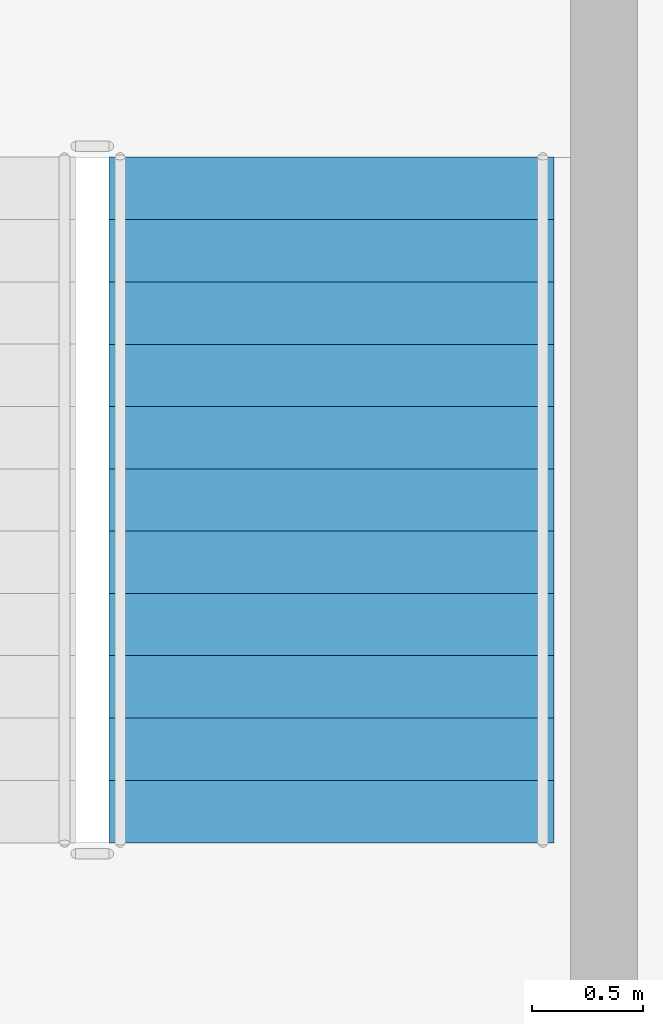
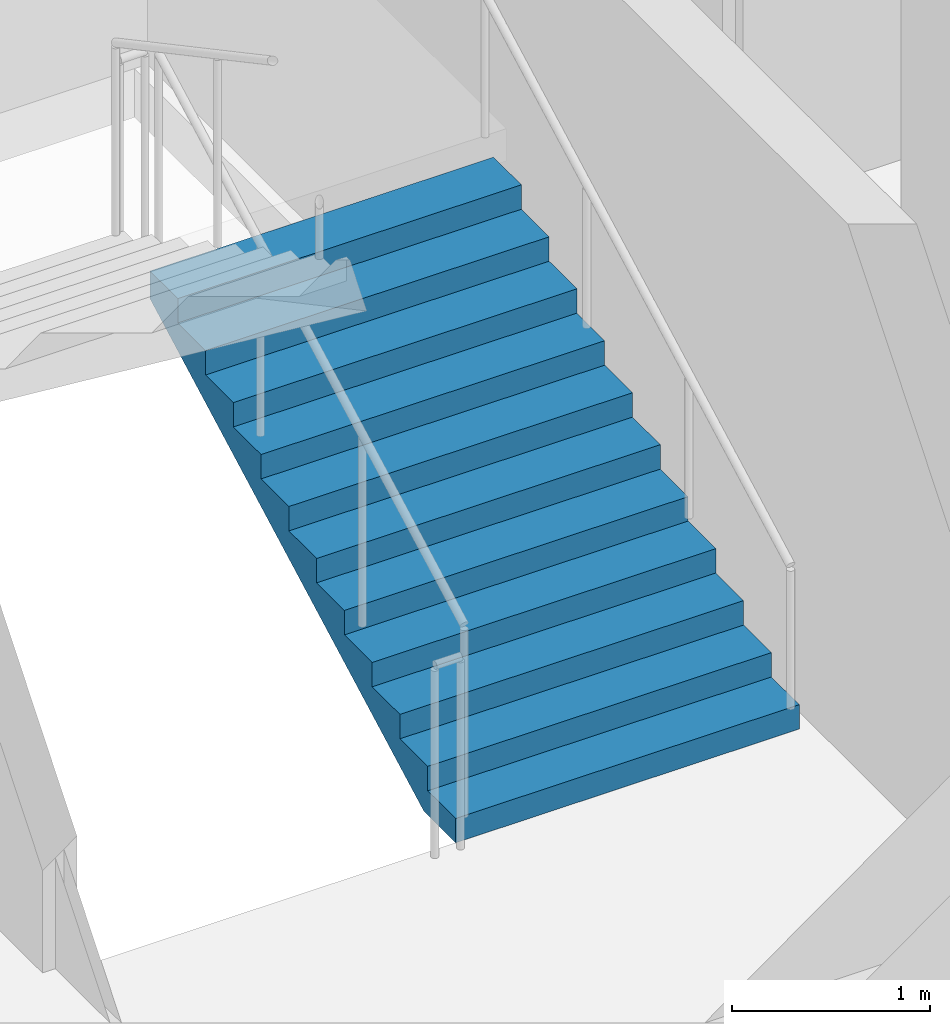
# One storey, part 12 of 21: 1 stair flight, 1 element without a shape of its own.
"""IFC4 building model written with IfcOpenShell, lengths in metres."""

from ifc_helpers import new_model, si_unit, direction, frame, origin, place, context, subcontext, project, spatial, polygons, material, type_object, element, aggregate, save


model = new_model("IFC4")

# Units and contexts
model_context = context("Model", 3, precision=1e-05, world=origin(), true_north=direction((0.0, 1.0)))
body_context = subcontext(model_context, "Body", "Model", "MODEL_VIEW")
ifc_project = project(units=[si_unit("LENGTHUNIT", "METRE"), si_unit("AREAUNIT", "SQUARE_METRE"), si_unit("VOLUMEUNIT", "CUBIC_METRE"), si_unit("PLANEANGLEUNIT", "RADIAN"), si_unit("MASSUNIT", "GRAM", prefix="KILO")], contexts=[model_context])

# Site, building, storey
site_placement = place(None, origin())
site = spatial("IfcSite", under=ifc_project, at=site_placement, CompositionType="ELEMENT")
building_placement = place(site_placement, origin())
building = spatial("IfcBuilding", under=site, at=building_placement, Name="Caravel Reach Hotel and Residences", CompositionType="ELEMENT")
storey_placement = place(building_placement, frame((0.0, 0.0, 100.800048828125)))
storey = spatial("IfcBuildingStorey", under=building, at=storey_placement, Name="L24", CompositionType="ELEMENT", Elevation=100.800048828125)

# Stair, stair flight
ifc_material_1 = material(Name="Concrete C40", Category="concrete")
stair_type = type_object("IfcStairType", Name="Core stair", PredefinedType="HALF_TURN_STAIR", material=ifc_material_1)
stair_placement = place(storey_placement, origin())
stair = element("IfcStair", 1, at=stair_placement, inside=storey, type_object=stair_type, Name="L24 Exit stair B", PredefinedType="HALF_TURN_STAIR")
ifc_material_2 = material(Name="Concrete C40", Category="concrete")
stair_flight_type = type_object("IfcStairFlightType", Name="Core stair flight", PredefinedType="STRAIGHT", material=ifc_material_2)
stair_flight_placement = place(storey_placement, frame((43.77490234375, 24.64990234375, 0.0), z_axis=(0.0, 0.0, 1.0), x_axis=(0.0, 1.0, 0.0)))
stair_flight = element("IfcStairFlight", 2, at=stair_flight_placement, type_object=stair_flight_type, Name="ST-B flight 1", NumberOfRisers=12, NumberOfTreads=11, PredefinedType="STRAIGHT", RiserHeight=0.15, TreadLength=0.28, context=body_context, shape_type="Tessellation", body=[
    polygons([(0.3174408016601862, 1.0, 0.0), (0.3174408016601862, 0.6666666666666667, 0.0), (0.3174408016601862, 0.33333333333333337, 0.0), (0.3174408016601862, 0.0, 0.0), (0.3174408016601862, -0.33333333333333326, 0.0), (0.3174408016601862, -0.6666666666666667, 0.0), (0.3174408016601862, -1.0, 0.0), (3.081, 1.0, 1.479942427682043), (3.081, 0.6666666666666667, 1.479942427682043), (3.081, 0.33333333333333337, 1.479942427682043), (3.081, 0.0, 1.479942427682043), (3.081, -0.33333333333333326, 1.479942427682043), (3.081, -0.6666666666666667, 1.479942427682043), (3.081, -1.0, 1.479942427682043), (3.081, 1.0, 1.65), (3.081, 0.6666666666666667, 1.65), (3.081, 0.33333333333333337, 1.65), (3.081, 0.0, 1.65), (3.081, -0.33333333333333326, 1.65), (3.081, -0.6666666666666667, 1.65), (3.081, -1.0, 1.65), (2.8000000000000003, 1.0, 1.65), (2.8000000000000003, 0.6666666666666667, 1.65), (2.8000000000000003, 0.33333333333333337, 1.65), (2.8000000000000003, 0.0, 1.65), (2.8000000000000003, -0.33333333333333326, 1.65), (2.8000000000000003, -0.6666666666666667, 1.65), (2.8000000000000003, -1.0, 1.65), (2.8000000000000003, 1.0, 1.5), (2.8000000000000003, 0.6666666666666667, 1.5), (2.8000000000000003, 0.33333333333333337, 1.5), (2.8000000000000003, 0.0, 1.5), (2.8000000000000003, -0.33333333333333326, 1.5), (2.8000000000000003, -0.6666666666666667, 1.5), (2.8000000000000003, -1.0, 1.5), (2.5200000000000005, 1.0, 1.5), (2.5200000000000005, 0.6666666666666667, 1.5), (2.5200000000000005, 0.33333333333333337, 1.5), (2.5200000000000005, 0.0, 1.5), (2.5200000000000005, -0.33333333333333326, 1.5), (2.5200000000000005, -0.6666666666666667, 1.5), (2.5200000000000005, -1.0, 1.5), (2.5200000000000005, 1.0, 1.3499999999999999), (2.5200000000000005, 0.6666666666666667, 1.3499999999999999), (2.5200000000000005, 0.33333333333333337, 1.3499999999999999), (2.5200000000000005, 0.0, 1.3499999999999999), (2.5200000000000005, -0.33333333333333326, 1.3499999999999999), (2.5200000000000005, -0.6666666666666667, 1.3499999999999999), (2.5200000000000005, -1.0, 1.3499999999999999), (2.24, 1.0, 1.3499999999999999), (2.24, 0.6666666666666667, 1.3499999999999999), (2.24, 0.33333333333333337, 1.3499999999999999), (2.24, 0.0, 1.3499999999999999), (2.24, -0.33333333333333326, 1.3499999999999999), (2.24, -0.6666666666666667, 1.3499999999999999), (2.24, -1.0, 1.3499999999999999), (2.24, 1.0, 1.2), (2.24, 0.6666666666666667, 1.2), (2.24, 0.33333333333333337, 1.2), (2.24, 0.0, 1.2), (2.24, -0.33333333333333326, 1.2), (2.24, -0.6666666666666667, 1.2), (2.24, -1.0, 1.2), (1.9600000000000002, 1.0, 1.2), (1.9600000000000002, 0.6666666666666667, 1.2), (1.9600000000000002, 0.33333333333333337, 1.2), (1.9600000000000002, 0.0, 1.2), (1.9600000000000002, -0.33333333333333326, 1.2), (1.9600000000000002, -0.6666666666666667, 1.2), (1.9600000000000002, -1.0, 1.2), (1.9600000000000002, 1.0, 1.05), (1.9600000000000002, 0.6666666666666667, 1.05), (1.9600000000000002, 0.33333333333333337, 1.05), (1.9600000000000002, 0.0, 1.05), (1.9600000000000002, -0.33333333333333326, 1.05), (1.9600000000000002, -0.6666666666666667, 1.05), (1.9600000000000002, -1.0, 1.05), (1.6800000000000002, 1.0, 1.05), (1.6800000000000002, 0.6666666666666667, 1.05), (1.6800000000000002, 0.33333333333333337, 1.05), (1.6800000000000002, 0.0, 1.05), (1.6800000000000002, -0.33333333333333326, 1.05), (1.6800000000000002, -0.6666666666666667, 1.05), (1.6800000000000002, -1.0, 1.05), (1.6800000000000002, 1.0, 0.8999999999999999), (1.6800000000000002, 0.6666666666666667, 0.8999999999999999), (1.6800000000000002, 0.33333333333333337, 0.8999999999999999), (1.6800000000000002, 0.0, 0.8999999999999999), (1.6800000000000002, -0.33333333333333326, 0.8999999999999999), (1.6800000000000002, -0.6666666666666667, 0.8999999999999999), (1.6800000000000002, -1.0, 0.8999999999999999), (1.4000000000000001, 1.0, 0.8999999999999999), (1.4000000000000001, 0.6666666666666667, 0.8999999999999999), (1.4000000000000001, 0.33333333333333337, 0.8999999999999999), (1.4000000000000001, 0.0, 0.8999999999999999), (1.4000000000000001, -0.33333333333333326, 0.8999999999999999), (1.4000000000000001, -0.6666666666666667, 0.8999999999999999), (1.4000000000000001, -1.0, 0.8999999999999999), (1.4000000000000001, 1.0, 0.75), (1.4000000000000001, 0.6666666666666667, 0.75), (1.4000000000000001, 0.33333333333333337, 0.75), (1.4000000000000001, 0.0, 0.75), (1.4000000000000001, -0.33333333333333326, 0.75), (1.4000000000000001, -0.6666666666666667, 0.75), (1.4000000000000001, -1.0, 0.75), (1.12, 1.0, 0.75), (1.12, 0.6666666666666667, 0.75), (1.12, 0.33333333333333337, 0.75), (1.12, 0.0, 0.75), (1.12, -0.33333333333333326, 0.75), (1.12, -0.6666666666666667, 0.75), (1.12, -1.0, 0.75), (1.12, 1.0, 0.6), (1.12, 0.6666666666666667, 0.6), (1.12, 0.33333333333333337, 0.6), (1.12, 0.0, 0.6), (1.12, -0.33333333333333326, 0.6), (1.12, -0.6666666666666667, 0.6), (1.12, -1.0, 0.6), (0.8400000000000001, 1.0, 0.6), (0.8400000000000001, 0.6666666666666667, 0.6), (0.8400000000000001, 0.33333333333333337, 0.6), (0.8400000000000001, 0.0, 0.6), (0.8400000000000001, -0.33333333333333326, 0.6), (0.8400000000000001, -0.6666666666666667, 0.6), (0.8400000000000001, -1.0, 0.6), (0.8400000000000001, 1.0, 0.44999999999999996), (0.8400000000000001, 0.6666666666666667, 0.44999999999999996), (0.8400000000000001, 0.33333333333333337, 0.44999999999999996), (0.8400000000000001, 0.0, 0.44999999999999996), (0.8400000000000001, -0.33333333333333326, 0.44999999999999996), (0.8400000000000001, -0.6666666666666667, 0.44999999999999996), (0.8400000000000001, -1.0, 0.44999999999999996), (0.56, 1.0, 0.44999999999999996), (0.56, 0.6666666666666667, 0.44999999999999996), (0.56, 0.33333333333333337, 0.44999999999999996), (0.56, 0.0, 0.44999999999999996), (0.56, -0.33333333333333326, 0.44999999999999996), (0.56, -0.6666666666666667, 0.44999999999999996), (0.56, -1.0, 0.44999999999999996), (0.56, 1.0, 0.3), (0.56, 0.6666666666666667, 0.3), (0.56, 0.33333333333333337, 0.3), (0.56, 0.0, 0.3), (0.56, -0.33333333333333326, 0.3), (0.56, -0.6666666666666667, 0.3), (0.56, -1.0, 0.3), (0.28, 1.0, 0.3), (0.28, 0.6666666666666667, 0.3), (0.28, 0.33333333333333337, 0.3), (0.28, 0.0, 0.3), (0.28, -0.33333333333333326, 0.3), (0.28, -0.6666666666666667, 0.3), (0.28, -1.0, 0.3), (0.28, 1.0, 0.15), (0.28, 0.6666666666666667, 0.15), (0.28, 0.33333333333333337, 0.15), (0.28, 0.0, 0.15), (0.28, -0.33333333333333326, 0.15), (0.28, -0.6666666666666667, 0.15), (0.28, -1.0, 0.15), (-0.001, 1.0, 0.15), (-0.001, 0.6666666666666667, 0.15), (-0.001, 0.33333333333333337, 0.15), (-0.001, 0.0, 0.15), (-0.001, -0.33333333333333326, 0.15), (-0.001, -0.6666666666666667, 0.15), (-0.001, -1.0, 0.15), (-0.001, 1.0, 0.0), (-0.001, 0.6666666666666667, 0.0), (-0.001, 0.33333333333333337, 0.0), (-0.001, 0.0, 0.0), (-0.001, -0.33333333333333326, 0.0), (-0.001, -0.6666666666666667, 0.0), (-0.001, -1.0, 0.0)], [[[169, 162, 155, 148, 141, 134, 127, 120, 113, 106, 99, 92, 85, 78, 71, 64, 57, 50, 43, 36, 29, 22, 15, 8, 1]], [[7, 14, 21, 28, 35, 42, 49, 56, 63, 70, 77, 84, 91, 98, 105, 112, 119, 126, 133, 140, 147, 154, 161, 168, 175]], [[1, 8, 9, 2]], [[2, 9, 10, 3]], [[3, 10, 11, 4]], [[4, 11, 12, 5]], [[5, 12, 13, 6]], [[6, 13, 14, 7]], [[8, 15, 16, 9]], [[9, 16, 17, 10]], [[10, 17, 18, 11]], [[11, 18, 19, 12]], [[12, 19, 20, 13]], [[13, 20, 21, 14]], [[15, 22, 23, 16]], [[16, 23, 24, 17]], [[17, 24, 25, 18]], [[18, 25, 26, 19]], [[19, 26, 27, 20]], [[20, 27, 28, 21]], [[22, 29, 30, 23]], [[23, 30, 31, 24]], [[24, 31, 32, 25]], [[25, 32, 33, 26]], [[26, 33, 34, 27]], [[27, 34, 35, 28]], [[29, 36, 37, 30]], [[30, 37, 38, 31]], [[31, 38, 39, 32]], [[32, 39, 40, 33]], [[33, 40, 41, 34]], [[34, 41, 42, 35]], [[36, 43, 44, 37]], [[37, 44, 45, 38]], [[38, 45, 46, 39]], [[39, 46, 47, 40]], [[40, 47, 48, 41]], [[41, 48, 49, 42]], [[43, 50, 51, 44]], [[44, 51, 52, 45]], [[45, 52, 53, 46]], [[46, 53, 54, 47]], [[47, 54, 55, 48]], [[48, 55, 56, 49]], [[50, 57, 58, 51]], [[51, 58, 59, 52]], [[52, 59, 60, 53]], [[53, 60, 61, 54]], [[54, 61, 62, 55]], [[55, 62, 63, 56]], [[57, 64, 65, 58]], [[58, 65, 66, 59]], [[59, 66, 67, 60]], [[60, 67, 68, 61]], [[61, 68, 69, 62]], [[62, 69, 70, 63]], [[64, 71, 72, 65]], [[65, 72, 73, 66]], [[66, 73, 74, 67]], [[67, 74, 75, 68]], [[68, 75, 76, 69]], [[69, 76, 77, 70]], [[71, 78, 79, 72]], [[72, 79, 80, 73]], [[73, 80, 81, 74]], [[74, 81, 82, 75]], [[75, 82, 83, 76]], [[76, 83, 84, 77]], [[78, 85, 86, 79]], [[79, 86, 87, 80]], [[80, 87, 88, 81]], [[81, 88, 89, 82]], [[82, 89, 90, 83]], [[83, 90, 91, 84]], [[85, 92, 93, 86]], [[86, 93, 94, 87]], [[87, 94, 95, 88]], [[88, 95, 96, 89]], [[89, 96, 97, 90]], [[90, 97, 98, 91]], [[92, 99, 100, 93]], [[93, 100, 101, 94]], [[94, 101, 102, 95]], [[95, 102, 103, 96]], [[96, 103, 104, 97]], [[97, 104, 105, 98]], [[99, 106, 107, 100]], [[100, 107, 108, 101]], [[101, 108, 109, 102]], [[102, 109, 110, 103]], [[103, 110, 111, 104]], [[104, 111, 112, 105]], [[106, 113, 114, 107]], [[107, 114, 115, 108]], [[108, 115, 116, 109]], [[109, 116, 117, 110]], [[110, 117, 118, 111]], [[111, 118, 119, 112]], [[113, 120, 121, 114]], [[114, 121, 122, 115]], [[115, 122, 123, 116]], [[116, 123, 124, 117]], [[117, 124, 125, 118]], [[118, 125, 126, 119]], [[120, 127, 128, 121]], [[121, 128, 129, 122]], [[122, 129, 130, 123]], [[123, 130, 131, 124]], [[124, 131, 132, 125]], [[125, 132, 133, 126]], [[127, 134, 135, 128]], [[128, 135, 136, 129]], [[129, 136, 137, 130]], [[130, 137, 138, 131]], [[131, 138, 139, 132]], [[132, 139, 140, 133]], [[134, 141, 142, 135]], [[135, 142, 143, 136]], [[136, 143, 144, 137]], [[137, 144, 145, 138]], [[138, 145, 146, 139]], [[139, 146, 147, 140]], [[141, 148, 149, 142]], [[142, 149, 150, 143]], [[143, 150, 151, 144]], [[144, 151, 152, 145]], [[145, 152, 153, 146]], [[146, 153, 154, 147]], [[148, 155, 156, 149]], [[149, 156, 157, 150]], [[150, 157, 158, 151]], [[151, 158, 159, 152]], [[152, 159, 160, 153]], [[153, 160, 161, 154]], [[155, 162, 163, 156]], [[156, 163, 164, 157]], [[157, 164, 165, 158]], [[158, 165, 166, 159]], [[159, 166, 167, 160]], [[160, 167, 168, 161]], [[162, 169, 170, 163]], [[163, 170, 171, 164]], [[164, 171, 172, 165]], [[165, 172, 173, 166]], [[166, 173, 174, 167]], [[167, 174, 175, 168]], [[169, 1, 2, 170]], [[170, 2, 3, 171]], [[171, 3, 4, 172]], [[172, 4, 5, 173]], [[173, 5, 6, 174]], [[174, 6, 7, 175]]], closed=True),
])
aggregate(stair, [stair_flight])

save(model, "model.ifc")
